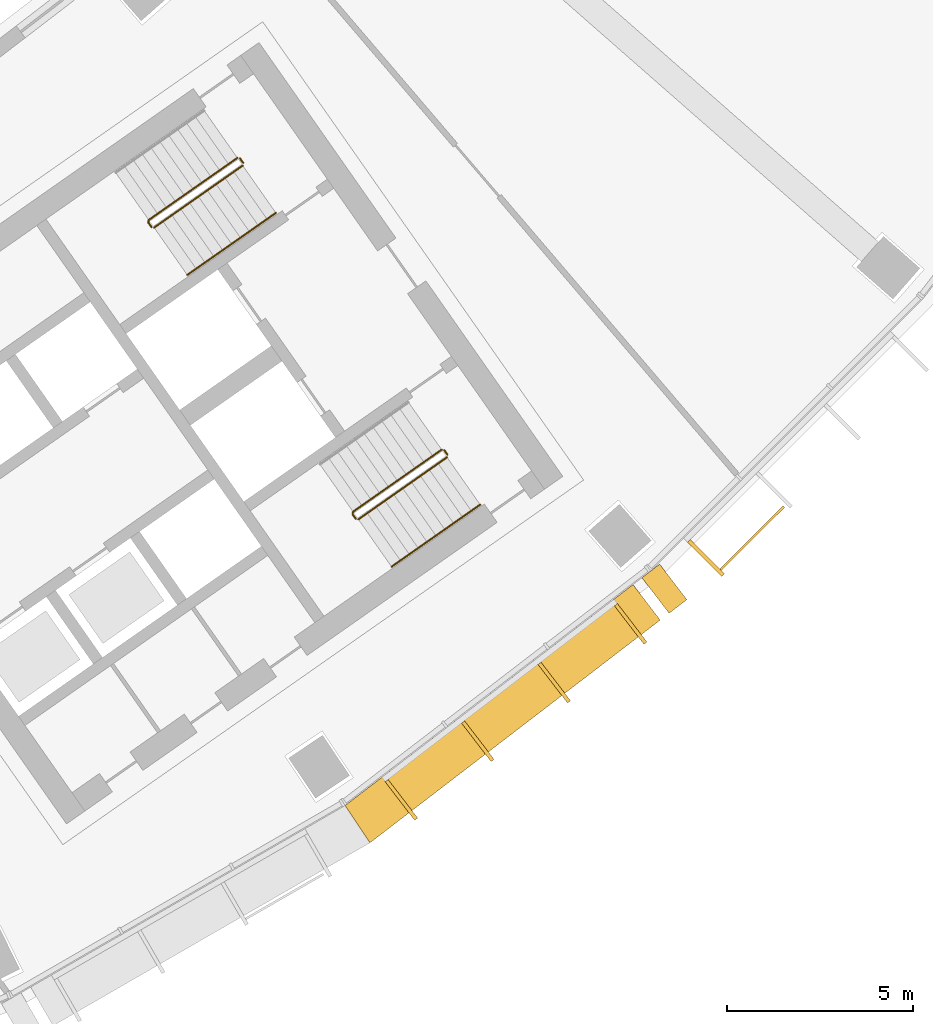
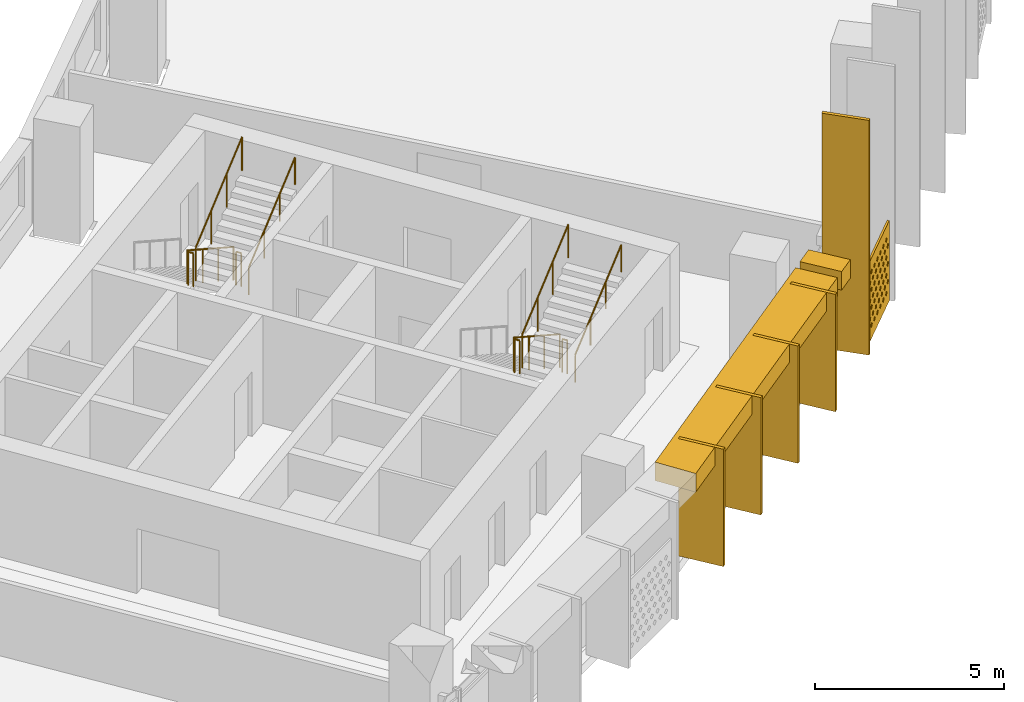
# One storey, part 28 of 31: 8 railings, 8 shading devices.
"""IFC4 building model written with IfcOpenShell, lengths in metres."""

from ifc_helpers import new_model, si_unit, direction, frame, origin, origin_2d, place, context, subcontext, project, spatial, polyline, rectangle, circle, outline, extrude, material, material_profile, profile_set, type_object, element, save


model = new_model("IFC4")

# Units and contexts
model_context = context("Model", 3, precision=1e-05, world=origin(), true_north=direction((0.0, 1.0)))
body_context = subcontext(model_context, "Body", "Model", "MODEL_VIEW")
ifc_project = project(units=[si_unit("LENGTHUNIT", "METRE"), si_unit("AREAUNIT", "SQUARE_METRE"), si_unit("VOLUMEUNIT", "CUBIC_METRE"), si_unit("PLANEANGLEUNIT", "RADIAN"), si_unit("MASSUNIT", "GRAM", prefix="KILO")], contexts=[model_context])

# Site, building, storey
site_placement = place(None, origin())
site = spatial("IfcSite", under=ifc_project, at=site_placement, CompositionType="ELEMENT")
building_placement = place(site_placement, origin())
building = spatial("IfcBuilding", under=site, at=building_placement, Name="Qamariyya Broadcast Tower", CompositionType="ELEMENT")
storey_placement = place(building_placement, frame((0.0, 0.0, 149.300048828125)))
storey = spatial("IfcBuildingStorey", under=building, at=storey_placement, Name="L34", CompositionType="ELEMENT", Elevation=149.300048828125)

# Shading devices
ifc_material_1 = material(Name="Steel S355 powder coated deep red", Category="steel")
shading_device_type_1 = type_object("IfcShadingDeviceType", Name="Deep red frame, powder coated steel box section", PredefinedType="USERDEFINED", material=ifc_material_1)
shading_device_1_placement = place(storey_placement, frame((0.0, 0.0, 3.199951171875)))
element("IfcShadingDevice", 1, at=shading_device_1_placement, inside=storey, type_object=shading_device_type_1, Name="e-frm-B3-F4-postb-L34", ObjectType="FRAME", PredefinedType="USERDEFINED", context=body_context, shape_type="SweptSolid", body=[
    extrude(outline(polyline([(51.850341796875, -59.577880859375), (52.580810546875, -60.530029296875), (53.056884765625, -60.164794921875), (52.326416015625, -59.212646484375), (51.850341796875, -59.577880859375)])), origin(), (0.0, 0.0, 1.0), 0.60009765625),
])
shading_device_2_placement = place(storey_placement, frame((0.0, 0.0, 3.199951171875)))
element("IfcShadingDevice", 2, at=shading_device_2_placement, inside=storey, type_object=shading_device_type_1, Name="e-frm-B3-F4-bot1", ObjectType="FRAME", PredefinedType="USERDEFINED", context=body_context, shape_type="SweptSolid", body=[
    extrude(outline(polyline([(43.89013671875, -65.68603515625), (44.55810546875, -66.68603515625), (52.3427734375, -60.712646484375), (51.6123046875, -59.760498046875), (43.89013671875, -65.68603515625)])), origin(), (0.0, 0.0, 1.0), 0.60009765625),
])
ifc_material_2 = material(Name="Perforated glazed terracotta", Category="masonry")
ifc_material_profile_1 = material_profile(ifc_material_2, outline(polyline([(-1.199951171875, -1.300048828125), (1.199951171875, -1.300048828125), (1.199951171875, 1.300048828125), (-1.199951171875, 1.300048828125), (-1.199951171875, -1.300048828125)]), holes=[polyline([(-0.81494140625, -0.86669921875), (-0.89990234375, -0.78173828125), (-0.985107421875, -0.86669921875), (-0.89990234375, -0.95166015625), (-0.81494140625, -0.86669921875)]), polyline([(-0.514892578125, -0.86669921875), (-0.60009765625, -0.78173828125), (-0.68505859375, -0.86669921875), (-0.60009765625, -0.95166015625), (-0.514892578125, -0.86669921875)]), polyline([(-0.215087890625, -0.86669921875), (-0.300048828125, -0.78173828125), (-0.385009765625, -0.86669921875), (-0.300048828125, -0.95166015625), (-0.215087890625, -0.86669921875)]), polyline([(0.0849609375, -0.86669921875), (0.0, -0.78173828125), (-0.0849609375, -0.86669921875), (0.0, -0.95166015625), (0.0849609375, -0.86669921875)]), polyline([(0.385009765625, -0.86669921875), (0.300048828125, -0.78173828125), (0.215087890625, -0.86669921875), (0.300048828125, -0.95166015625), (0.385009765625, -0.86669921875)]), polyline([(0.68505859375, -0.86669921875), (0.60009765625, -0.78173828125), (0.514892578125, -0.86669921875), (0.60009765625, -0.95166015625), (0.68505859375, -0.86669921875)]), polyline([(0.985107421875, -0.86669921875), (0.89990234375, -0.78173828125), (0.81494140625, -0.86669921875), (0.89990234375, -0.95166015625), (0.985107421875, -0.86669921875)]), polyline([(-0.965087890625, -0.577880859375), (-1.050048828125, -0.49267578125), (-1.135009765625, -0.577880859375), (-1.050048828125, -0.662841796875), (-0.965087890625, -0.577880859375)]), polyline([(-0.6650390625, -0.577880859375), (-0.75, -0.49267578125), (-0.8349609375, -0.577880859375), (-0.75, -0.662841796875), (-0.6650390625, -0.577880859375)]), polyline([(-0.364990234375, -0.577880859375), (-0.449951171875, -0.49267578125), (-0.534912109375, -0.577880859375), (-0.449951171875, -0.662841796875), (-0.364990234375, -0.577880859375)]), polyline([(-0.06494140625, -0.577880859375), (-0.14990234375, -0.49267578125), (-0.235107421875, -0.577880859375), (-0.14990234375, -0.662841796875), (-0.06494140625, -0.577880859375)]), polyline([(0.235107421875, -0.577880859375), (0.14990234375, -0.49267578125), (0.06494140625, -0.577880859375), (0.14990234375, -0.662841796875), (0.235107421875, -0.577880859375)]), polyline([(0.534912109375, -0.577880859375), (0.449951171875, -0.49267578125), (0.364990234375, -0.577880859375), (0.449951171875, -0.662841796875), (0.534912109375, -0.577880859375)]), polyline([(0.8349609375, -0.577880859375), (0.75, -0.49267578125), (0.6650390625, -0.577880859375), (0.75, -0.662841796875), (0.8349609375, -0.577880859375)]), polyline([(1.135009765625, -0.577880859375), (1.050048828125, -0.49267578125), (0.965087890625, -0.577880859375), (1.050048828125, -0.662841796875), (1.135009765625, -0.577880859375)]), polyline([(-0.81494140625, -0.288818359375), (-0.89990234375, -0.203857421875), (-0.985107421875, -0.288818359375), (-0.89990234375, -0.373779296875), (-0.81494140625, -0.288818359375)]), polyline([(-0.514892578125, -0.288818359375), (-0.60009765625, -0.203857421875), (-0.68505859375, -0.288818359375), (-0.60009765625, -0.373779296875), (-0.514892578125, -0.288818359375)]), polyline([(-0.215087890625, -0.288818359375), (-0.300048828125, -0.203857421875), (-0.385009765625, -0.288818359375), (-0.300048828125, -0.373779296875), (-0.215087890625, -0.288818359375)]), polyline([(0.0849609375, -0.288818359375), (0.0, -0.203857421875), (-0.0849609375, -0.288818359375), (0.0, -0.373779296875), (0.0849609375, -0.288818359375)]), polyline([(0.385009765625, -0.288818359375), (0.300048828125, -0.203857421875), (0.215087890625, -0.288818359375), (0.300048828125, -0.373779296875), (0.385009765625, -0.288818359375)]), polyline([(0.68505859375, -0.288818359375), (0.60009765625, -0.203857421875), (0.514892578125, -0.288818359375), (0.60009765625, -0.373779296875), (0.68505859375, -0.288818359375)]), polyline([(0.985107421875, -0.288818359375), (0.89990234375, -0.203857421875), (0.81494140625, -0.288818359375), (0.89990234375, -0.373779296875), (0.985107421875, -0.288818359375)]), polyline([(-0.965087890625, 0.0), (-1.050048828125, 0.0849609375), (-1.135009765625, 0.0), (-1.050048828125, -0.0849609375), (-0.965087890625, 0.0)]), polyline([(-0.6650390625, 0.0), (-0.75, 0.0849609375), (-0.8349609375, 0.0), (-0.75, -0.0849609375), (-0.6650390625, 0.0)]), polyline([(-0.364990234375, 0.0), (-0.449951171875, 0.0849609375), (-0.534912109375, 0.0), (-0.449951171875, -0.0849609375), (-0.364990234375, 0.0)]), polyline([(-0.06494140625, 0.0), (-0.14990234375, 0.0849609375), (-0.235107421875, 0.0), (-0.14990234375, -0.0849609375), (-0.06494140625, 0.0)]), polyline([(0.235107421875, 0.0), (0.14990234375, 0.0849609375), (0.06494140625, 0.0), (0.14990234375, -0.0849609375), (0.235107421875, 0.0)]), polyline([(0.534912109375, 0.0), (0.449951171875, 0.0849609375), (0.364990234375, 0.0), (0.449951171875, -0.0849609375), (0.534912109375, 0.0)]), polyline([(0.8349609375, 0.0), (0.75, 0.0849609375), (0.6650390625, 0.0), (0.75, -0.0849609375), (0.8349609375, 0.0)]), polyline([(1.135009765625, 0.0), (1.050048828125, 0.0849609375), (0.965087890625, 0.0), (1.050048828125, -0.0849609375), (1.135009765625, 0.0)]), polyline([(-0.81494140625, 0.288818359375), (-0.89990234375, 0.373779296875), (-0.985107421875, 0.288818359375), (-0.89990234375, 0.203857421875), (-0.81494140625, 0.288818359375)]), polyline([(-0.514892578125, 0.288818359375), (-0.60009765625, 0.373779296875), (-0.68505859375, 0.288818359375), (-0.60009765625, 0.203857421875), (-0.514892578125, 0.288818359375)]), polyline([(-0.215087890625, 0.288818359375), (-0.300048828125, 0.373779296875), (-0.385009765625, 0.288818359375), (-0.300048828125, 0.203857421875), (-0.215087890625, 0.288818359375)]), polyline([(0.0849609375, 0.288818359375), (0.0, 0.373779296875), (-0.0849609375, 0.288818359375), (0.0, 0.203857421875), (0.0849609375, 0.288818359375)]), polyline([(0.385009765625, 0.288818359375), (0.300048828125, 0.373779296875), (0.215087890625, 0.288818359375), (0.300048828125, 0.203857421875), (0.385009765625, 0.288818359375)]), polyline([(0.68505859375, 0.288818359375), (0.60009765625, 0.373779296875), (0.514892578125, 0.288818359375), (0.60009765625, 0.203857421875), (0.68505859375, 0.288818359375)]), polyline([(0.985107421875, 0.288818359375), (0.89990234375, 0.373779296875), (0.81494140625, 0.288818359375), (0.89990234375, 0.203857421875), (0.985107421875, 0.288818359375)]), polyline([(-0.965087890625, 0.577880859375), (-1.050048828125, 0.662841796875), (-1.135009765625, 0.577880859375), (-1.050048828125, 0.49267578125), (-0.965087890625, 0.577880859375)]), polyline([(-0.6650390625, 0.577880859375), (-0.75, 0.662841796875), (-0.8349609375, 0.577880859375), (-0.75, 0.49267578125), (-0.6650390625, 0.577880859375)]), polyline([(-0.364990234375, 0.577880859375), (-0.449951171875, 0.662841796875), (-0.534912109375, 0.577880859375), (-0.449951171875, 0.49267578125), (-0.364990234375, 0.577880859375)]), polyline([(-0.06494140625, 0.577880859375), (-0.14990234375, 0.662841796875), (-0.235107421875, 0.577880859375), (-0.14990234375, 0.49267578125), (-0.06494140625, 0.577880859375)]), polyline([(0.235107421875, 0.577880859375), (0.14990234375, 0.662841796875), (0.06494140625, 0.577880859375), (0.14990234375, 0.49267578125), (0.235107421875, 0.577880859375)]), polyline([(0.534912109375, 0.577880859375), (0.449951171875, 0.662841796875), (0.364990234375, 0.577880859375), (0.449951171875, 0.49267578125), (0.534912109375, 0.577880859375)]), polyline([(0.8349609375, 0.577880859375), (0.75, 0.662841796875), (0.6650390625, 0.577880859375), (0.75, 0.49267578125), (0.8349609375, 0.577880859375)]), polyline([(1.135009765625, 0.577880859375), (1.050048828125, 0.662841796875), (0.965087890625, 0.577880859375), (1.050048828125, 0.49267578125), (1.135009765625, 0.577880859375)]), polyline([(-0.81494140625, 0.86669921875), (-0.89990234375, 0.95166015625), (-0.985107421875, 0.86669921875), (-0.89990234375, 0.78173828125), (-0.81494140625, 0.86669921875)]), polyline([(-0.514892578125, 0.86669921875), (-0.60009765625, 0.95166015625), (-0.68505859375, 0.86669921875), (-0.60009765625, 0.78173828125), (-0.514892578125, 0.86669921875)]), polyline([(-0.215087890625, 0.86669921875), (-0.300048828125, 0.95166015625), (-0.385009765625, 0.86669921875), (-0.300048828125, 0.78173828125), (-0.215087890625, 0.86669921875)]), polyline([(0.0849609375, 0.86669921875), (0.0, 0.95166015625), (-0.0849609375, 0.86669921875), (0.0, 0.78173828125), (0.0849609375, 0.86669921875)]), polyline([(0.385009765625, 0.86669921875), (0.300048828125, 0.95166015625), (0.215087890625, 0.86669921875), (0.300048828125, 0.78173828125), (0.385009765625, 0.86669921875)]), polyline([(0.68505859375, 0.86669921875), (0.60009765625, 0.95166015625), (0.514892578125, 0.86669921875), (0.60009765625, 0.78173828125), (0.68505859375, 0.86669921875)]), polyline([(0.985107421875, 0.86669921875), (0.89990234375, 0.95166015625), (0.81494140625, 0.86669921875), (0.89990234375, 0.78173828125), (0.985107421875, 0.86669921875)])]))
ifc_profile_set_1 = profile_set([ifc_material_profile_1], Name="Perforated glazed terracotta")
shading_device_type_2 = type_object("IfcShadingDeviceType", Name="Perforated terracotta screen 2400 x 2600", PredefinedType="USERDEFINED", material=ifc_profile_set_1)
shading_device_3_placement = place(storey_placement, frame((54.78369140625, -58.49609375, 1.349853515625), z_axis=(0.705066081692, -0.709141608176, 0.0), x_axis=(0.709141608176, 0.705066081692, 0.0)))
element("IfcShadingDevice", 3, at=shading_device_3_placement, inside=storey, type_object=shading_device_type_2, Name="e-scr-L34-13-0", ObjectType="SCREEN", PredefinedType="USERDEFINED", context=body_context, shape_type="SweptSolid", body=[
    extrude(outline(polyline([(-1.199951171875, -1.300048828125), (1.199951171875, -1.300048828125), (1.199951171875, 1.300048828125), (-1.199951171875, 1.300048828125), (-1.199951171875, -1.300048828125)]), holes=[polyline([(-0.81494140625, -0.86669921875), (-0.89990234375, -0.78173828125), (-0.985107421875, -0.86669921875), (-0.89990234375, -0.95166015625), (-0.81494140625, -0.86669921875)]), polyline([(-0.514892578125, -0.86669921875), (-0.60009765625, -0.78173828125), (-0.68505859375, -0.86669921875), (-0.60009765625, -0.95166015625), (-0.514892578125, -0.86669921875)]), polyline([(-0.215087890625, -0.86669921875), (-0.300048828125, -0.78173828125), (-0.385009765625, -0.86669921875), (-0.300048828125, -0.95166015625), (-0.215087890625, -0.86669921875)]), polyline([(0.0849609375, -0.86669921875), (0.0, -0.78173828125), (-0.0849609375, -0.86669921875), (0.0, -0.95166015625), (0.0849609375, -0.86669921875)]), polyline([(0.385009765625, -0.86669921875), (0.300048828125, -0.78173828125), (0.215087890625, -0.86669921875), (0.300048828125, -0.95166015625), (0.385009765625, -0.86669921875)]), polyline([(0.68505859375, -0.86669921875), (0.60009765625, -0.78173828125), (0.514892578125, -0.86669921875), (0.60009765625, -0.95166015625), (0.68505859375, -0.86669921875)]), polyline([(0.985107421875, -0.86669921875), (0.89990234375, -0.78173828125), (0.81494140625, -0.86669921875), (0.89990234375, -0.95166015625), (0.985107421875, -0.86669921875)]), polyline([(-0.965087890625, -0.577880859375), (-1.050048828125, -0.49267578125), (-1.135009765625, -0.577880859375), (-1.050048828125, -0.662841796875), (-0.965087890625, -0.577880859375)]), polyline([(-0.6650390625, -0.577880859375), (-0.75, -0.49267578125), (-0.8349609375, -0.577880859375), (-0.75, -0.662841796875), (-0.6650390625, -0.577880859375)]), polyline([(-0.364990234375, -0.577880859375), (-0.449951171875, -0.49267578125), (-0.534912109375, -0.577880859375), (-0.449951171875, -0.662841796875), (-0.364990234375, -0.577880859375)]), polyline([(-0.06494140625, -0.577880859375), (-0.14990234375, -0.49267578125), (-0.235107421875, -0.577880859375), (-0.14990234375, -0.662841796875), (-0.06494140625, -0.577880859375)]), polyline([(0.235107421875, -0.577880859375), (0.14990234375, -0.49267578125), (0.06494140625, -0.577880859375), (0.14990234375, -0.662841796875), (0.235107421875, -0.577880859375)]), polyline([(0.534912109375, -0.577880859375), (0.449951171875, -0.49267578125), (0.364990234375, -0.577880859375), (0.449951171875, -0.662841796875), (0.534912109375, -0.577880859375)]), polyline([(0.8349609375, -0.577880859375), (0.75, -0.49267578125), (0.6650390625, -0.577880859375), (0.75, -0.662841796875), (0.8349609375, -0.577880859375)]), polyline([(1.135009765625, -0.577880859375), (1.050048828125, -0.49267578125), (0.965087890625, -0.577880859375), (1.050048828125, -0.662841796875), (1.135009765625, -0.577880859375)]), polyline([(-0.81494140625, -0.288818359375), (-0.89990234375, -0.203857421875), (-0.985107421875, -0.288818359375), (-0.89990234375, -0.373779296875), (-0.81494140625, -0.288818359375)]), polyline([(-0.514892578125, -0.288818359375), (-0.60009765625, -0.203857421875), (-0.68505859375, -0.288818359375), (-0.60009765625, -0.373779296875), (-0.514892578125, -0.288818359375)]), polyline([(-0.215087890625, -0.288818359375), (-0.300048828125, -0.203857421875), (-0.385009765625, -0.288818359375), (-0.300048828125, -0.373779296875), (-0.215087890625, -0.288818359375)]), polyline([(0.0849609375, -0.288818359375), (0.0, -0.203857421875), (-0.0849609375, -0.288818359375), (0.0, -0.373779296875), (0.0849609375, -0.288818359375)]), polyline([(0.385009765625, -0.288818359375), (0.300048828125, -0.203857421875), (0.215087890625, -0.288818359375), (0.300048828125, -0.373779296875), (0.385009765625, -0.288818359375)]), polyline([(0.68505859375, -0.288818359375), (0.60009765625, -0.203857421875), (0.514892578125, -0.288818359375), (0.60009765625, -0.373779296875), (0.68505859375, -0.288818359375)]), polyline([(0.985107421875, -0.288818359375), (0.89990234375, -0.203857421875), (0.81494140625, -0.288818359375), (0.89990234375, -0.373779296875), (0.985107421875, -0.288818359375)]), polyline([(-0.965087890625, 0.0), (-1.050048828125, 0.0849609375), (-1.135009765625, 0.0), (-1.050048828125, -0.0849609375), (-0.965087890625, 0.0)]), polyline([(-0.6650390625, 0.0), (-0.75, 0.0849609375), (-0.8349609375, 0.0), (-0.75, -0.0849609375), (-0.6650390625, 0.0)]), polyline([(-0.364990234375, 0.0), (-0.449951171875, 0.0849609375), (-0.534912109375, 0.0), (-0.449951171875, -0.0849609375), (-0.364990234375, 0.0)]), polyline([(-0.06494140625, 0.0), (-0.14990234375, 0.0849609375), (-0.235107421875, 0.0), (-0.14990234375, -0.0849609375), (-0.06494140625, 0.0)]), polyline([(0.235107421875, 0.0), (0.14990234375, 0.0849609375), (0.06494140625, 0.0), (0.14990234375, -0.0849609375), (0.235107421875, 0.0)]), polyline([(0.534912109375, 0.0), (0.449951171875, 0.0849609375), (0.364990234375, 0.0), (0.449951171875, -0.0849609375), (0.534912109375, 0.0)]), polyline([(0.8349609375, 0.0), (0.75, 0.0849609375), (0.6650390625, 0.0), (0.75, -0.0849609375), (0.8349609375, 0.0)]), polyline([(1.135009765625, 0.0), (1.050048828125, 0.0849609375), (0.965087890625, 0.0), (1.050048828125, -0.0849609375), (1.135009765625, 0.0)]), polyline([(-0.81494140625, 0.288818359375), (-0.89990234375, 0.373779296875), (-0.985107421875, 0.288818359375), (-0.89990234375, 0.203857421875), (-0.81494140625, 0.288818359375)]), polyline([(-0.514892578125, 0.288818359375), (-0.60009765625, 0.373779296875), (-0.68505859375, 0.288818359375), (-0.60009765625, 0.203857421875), (-0.514892578125, 0.288818359375)]), polyline([(-0.215087890625, 0.288818359375), (-0.300048828125, 0.373779296875), (-0.385009765625, 0.288818359375), (-0.300048828125, 0.203857421875), (-0.215087890625, 0.288818359375)]), polyline([(0.0849609375, 0.288818359375), (0.0, 0.373779296875), (-0.0849609375, 0.288818359375), (0.0, 0.203857421875), (0.0849609375, 0.288818359375)]), polyline([(0.385009765625, 0.288818359375), (0.300048828125, 0.373779296875), (0.215087890625, 0.288818359375), (0.300048828125, 0.203857421875), (0.385009765625, 0.288818359375)]), polyline([(0.68505859375, 0.288818359375), (0.60009765625, 0.373779296875), (0.514892578125, 0.288818359375), (0.60009765625, 0.203857421875), (0.68505859375, 0.288818359375)]), polyline([(0.985107421875, 0.288818359375), (0.89990234375, 0.373779296875), (0.81494140625, 0.288818359375), (0.89990234375, 0.203857421875), (0.985107421875, 0.288818359375)]), polyline([(-0.965087890625, 0.577880859375), (-1.050048828125, 0.662841796875), (-1.135009765625, 0.577880859375), (-1.050048828125, 0.49267578125), (-0.965087890625, 0.577880859375)]), polyline([(-0.6650390625, 0.577880859375), (-0.75, 0.662841796875), (-0.8349609375, 0.577880859375), (-0.75, 0.49267578125), (-0.6650390625, 0.577880859375)]), polyline([(-0.364990234375, 0.577880859375), (-0.449951171875, 0.662841796875), (-0.534912109375, 0.577880859375), (-0.449951171875, 0.49267578125), (-0.364990234375, 0.577880859375)]), polyline([(-0.06494140625, 0.577880859375), (-0.14990234375, 0.662841796875), (-0.235107421875, 0.577880859375), (-0.14990234375, 0.49267578125), (-0.06494140625, 0.577880859375)]), polyline([(0.235107421875, 0.577880859375), (0.14990234375, 0.662841796875), (0.06494140625, 0.577880859375), (0.14990234375, 0.49267578125), (0.235107421875, 0.577880859375)]), polyline([(0.534912109375, 0.577880859375), (0.449951171875, 0.662841796875), (0.364990234375, 0.577880859375), (0.449951171875, 0.49267578125), (0.534912109375, 0.577880859375)]), polyline([(0.8349609375, 0.577880859375), (0.75, 0.662841796875), (0.6650390625, 0.577880859375), (0.75, 0.49267578125), (0.8349609375, 0.577880859375)]), polyline([(1.135009765625, 0.577880859375), (1.050048828125, 0.662841796875), (0.965087890625, 0.577880859375), (1.050048828125, 0.49267578125), (1.135009765625, 0.577880859375)]), polyline([(-0.81494140625, 0.86669921875), (-0.89990234375, 0.95166015625), (-0.985107421875, 0.86669921875), (-0.89990234375, 0.78173828125), (-0.81494140625, 0.86669921875)]), polyline([(-0.514892578125, 0.86669921875), (-0.60009765625, 0.95166015625), (-0.68505859375, 0.86669921875), (-0.60009765625, 0.78173828125), (-0.514892578125, 0.86669921875)]), polyline([(-0.215087890625, 0.86669921875), (-0.300048828125, 0.95166015625), (-0.385009765625, 0.86669921875), (-0.300048828125, 0.78173828125), (-0.215087890625, 0.86669921875)]), polyline([(0.0849609375, 0.86669921875), (0.0, 0.95166015625), (-0.0849609375, 0.86669921875), (0.0, 0.78173828125), (0.0849609375, 0.86669921875)]), polyline([(0.385009765625, 0.86669921875), (0.300048828125, 0.95166015625), (0.215087890625, 0.86669921875), (0.300048828125, 0.78173828125), (0.385009765625, 0.86669921875)]), polyline([(0.68505859375, 0.86669921875), (0.60009765625, 0.95166015625), (0.514892578125, 0.86669921875), (0.60009765625, 0.78173828125), (0.68505859375, 0.86669921875)]), polyline([(0.985107421875, 0.86669921875), (0.89990234375, 0.95166015625), (0.81494140625, 0.86669921875), (0.89990234375, 0.78173828125), (0.985107421875, 0.86669921875)])]), origin(), (0.0, 0.0, 1.0), 0.059814453125),
])

# Railings
ifc_material_3 = material(Name="Painted steel", Category="steel")
railing_type_1 = type_object("IfcRailingType", Name="Stair guard", PredefinedType="GUARDRAIL", material=ifc_material_3)
railing_1_placement = place(storey_placement, frame((41.003173828125, -48.320068359375, 0.172607421875)))
element("IfcRailing", 4, at=railing_1_placement, inside=storey, type_object=railing_type_1, Name="L34 ST-E2 stair guard 1", PredefinedType="GUARDRAIL", context=body_context, shape_type="SweptSolid", body=[
    extrude(circle(Radius=0.02392578125, at=origin_2d()), frame((0.0, 0.0, 1.076171875), z_axis=(-0.703770094002, -0.492783725636, 0.511734163933), x_axis=(0.573575343427, -0.819152809562, 0.0)), (0.0, 0.0, 1.0), 3.37548828125),
    extrude(circle(Radius=0.02392578125, at=origin_2d()), frame((-2.37548828125, -1.663330078125, 2.80322265625), z_axis=(-0.172799478008, -0.984957024646, 0.0), x_axis=(0.984957024646, -0.172799478008, 0.0)), (0.0, 0.0, 1.0), 0.070556640625),
    extrude(circle(Radius=0.02392578125, at=origin_2d()), frame((-2.3876953125, -1.73291015625, 2.80322265625), z_axis=(0.572588637393, -0.819842821722, 0.0), x_axis=(0.819842821722, 0.572588637393, 0.0)), (0.0, 0.0, 1.0), 0.150146484375),
    extrude(circle(Radius=0.02099609375, at=origin_2d()), origin(), (0.0, 0.0, 1.0), 1.052001953125),
    extrude(circle(Radius=0.02099609375, at=origin_2d()), frame((-0.791748046875, -0.554443359375, 0.57568359375)), (0.0, 0.0, 1.0), 1.052001953125),
    extrude(circle(Radius=0.02099609375, at=origin_2d()), frame((-1.583740234375, -1.10888671875, 1.151611328125)), (0.0, 0.0, 1.0), 1.052001953125),
    extrude(circle(Radius=0.02099609375, at=origin_2d()), frame((-2.37548828125, -1.663330078125, 1.727294921875)), (0.0, 0.0, 1.0), 1.052001953125),
    extrude(circle(Radius=0.02099609375, at=origin_2d()), frame((-2.3876953125, -1.73291015625, 1.727294921875)), (0.0, 0.0, 1.0), 1.052001953125),
    extrude(circle(Radius=0.02099609375, at=origin_2d()), frame((-2.3017578125, -1.85595703125, 1.727294921875)), (0.0, 0.0, 1.0), 1.052001953125),
])
railing_2_placement = place(storey_placement, frame((38.771240234375, -50.188232421875, 2.07275390625)))
element("IfcRailing", 5, at=railing_2_placement, inside=storey, type_object=railing_type_1, Name="L34 ST-E2 stair guard 2", PredefinedType="GUARDRAIL", context=body_context, shape_type="SweptSolid", body=[
    extrude(circle(Radius=0.02392578125, at=origin_2d()), frame((0.0, 0.0, 1.076171875), z_axis=(0.703770094002, 0.492783725636, 0.511734163933), x_axis=(-0.573575343427, 0.819152809562, 0.0)), (0.0, 0.0, 1.0), 3.37548828125),
    extrude(circle(Radius=0.02099609375, at=origin_2d()), origin(), (0.0, 0.0, 1.0), 1.052001953125),
    extrude(circle(Radius=0.02099609375, at=origin_2d()), frame((0.791748046875, 0.554443359375, 0.57568359375)), (0.0, 0.0, 1.0), 1.052001953125),
    extrude(circle(Radius=0.02099609375, at=origin_2d()), frame((1.583740234375, 1.10888671875, 1.151611328125)), (0.0, 0.0, 1.0), 1.052001953125),
    extrude(circle(Radius=0.02099609375, at=origin_2d()), frame((2.37548828125, 1.663330078125, 1.727294921875)), (0.0, 0.0, 1.0), 1.052001953125),
])
railing_3_placement = place(storey_placement, frame((41.072998046875, -48.332275390625, 0.0)))
element("IfcRailing", 6, at=railing_3_placement, inside=storey, type_object=railing_type_1, Name="L34 ST-E2 stair guard 3", PredefinedType="GUARDRAIL", context=body_context, shape_type="SweptSolid", body=[
    extrude(circle(Radius=0.02392578125, at=origin_2d()), frame((0.0, 0.0, 1.076171875), z_axis=(0.572588637393, -0.819842821722, 0.0), x_axis=(0.819842821722, 0.572588637393, 0.0)), (0.0, 0.0, 1.0), 0.150146484375),
    extrude(circle(Radius=0.02099609375, at=origin_2d()), origin(), (0.0, 0.0, 1.0), 1.052001953125),
    extrude(circle(Radius=0.02099609375, at=origin_2d()), frame((0.0859375, -0.123046875, 0.0)), (0.0, 0.0, 1.0), 1.052001953125),
])
railing_4_placement = place(storey_placement, frame((46.48095703125, -56.14306640625, 0.172607421875)))
element("IfcRailing", 7, at=railing_4_placement, inside=storey, type_object=railing_type_1, Name="L34 ST-E1 stair guard 1", PredefinedType="GUARDRAIL", context=body_context, shape_type="SweptSolid", body=[
    extrude(circle(Radius=0.02392578125, at=origin_2d()), frame((0.0, 0.0, 1.076171875), z_axis=(-0.703770094002, -0.492783725636, 0.511734163933), x_axis=(0.573575343427, -0.819152809562, 0.0)), (0.0, 0.0, 1.0), 3.37548828125),
    extrude(circle(Radius=0.02392578125, at=origin_2d()), frame((-2.37548828125, -1.663330078125, 2.80322265625), z_axis=(-0.176149252506, -0.984363469884, 0.0), x_axis=(0.984363469884, -0.176149252506, 0.0)), (0.0, 0.0, 1.0), 0.07080078125),
    extrude(circle(Radius=0.02392578125, at=origin_2d()), frame((-2.387939453125, -1.73291015625, 2.80322265625), z_axis=(0.574444878118, -0.818543268254, 0.0), x_axis=(0.818543268254, 0.574444878118, 0.0)), (0.0, 0.0, 1.0), 0.150146484375),
    extrude(circle(Radius=0.02099609375, at=origin_2d()), origin(), (0.0, 0.0, 1.0), 1.052001953125),
    extrude(circle(Radius=0.02099609375, at=origin_2d()), frame((-0.791748046875, -0.554443359375, 0.57568359375)), (0.0, 0.0, 1.0), 1.052001953125),
    extrude(circle(Radius=0.02099609375, at=origin_2d()), frame((-1.583740234375, -1.10888671875, 1.151611328125)), (0.0, 0.0, 1.0), 1.052001953125),
    extrude(circle(Radius=0.02099609375, at=origin_2d()), frame((-2.37548828125, -1.663330078125, 1.727294921875)), (0.0, 0.0, 1.0), 1.052001953125),
    extrude(circle(Radius=0.02099609375, at=origin_2d()), frame((-2.387939453125, -1.73291015625, 1.727294921875)), (0.0, 0.0, 1.0), 1.052001953125),
    extrude(circle(Radius=0.02099609375, at=origin_2d()), frame((-2.3017578125, -1.855712890625, 1.727294921875)), (0.0, 0.0, 1.0), 1.052001953125),
])
railing_5_placement = place(storey_placement, frame((44.248779296875, -58.01123046875, 2.07275390625)))
element("IfcRailing", 8, at=railing_5_placement, inside=storey, type_object=railing_type_1, Name="L34 ST-E1 stair guard 2", PredefinedType="GUARDRAIL", context=body_context, shape_type="SweptSolid", body=[
    extrude(circle(Radius=0.02392578125, at=origin_2d()), frame((0.0, 0.0, 1.076171875), z_axis=(0.703745009021, 0.492838488332, 0.511715923826), x_axis=(-0.573631830683, 0.819113253969, 0.0)), (0.0, 0.0, 1.0), 3.37548828125),
    extrude(circle(Radius=0.02099609375, at=origin_2d()), origin(), (0.0, 0.0, 1.0), 1.052001953125),
    extrude(circle(Radius=0.02099609375, at=origin_2d()), frame((0.791748046875, 0.554443359375, 0.57568359375)), (0.0, 0.0, 1.0), 1.052001953125),
    extrude(circle(Radius=0.02099609375, at=origin_2d()), frame((1.583740234375, 1.109130859375, 1.151611328125)), (0.0, 0.0, 1.0), 1.052001953125),
    extrude(circle(Radius=0.02099609375, at=origin_2d()), frame((2.37548828125, 1.66357421875, 1.727294921875)), (0.0, 0.0, 1.0), 1.052001953125),
])
railing_6_placement = place(storey_placement, frame((46.550537109375, -56.1552734375, 0.0)))
element("IfcRailing", 9, at=railing_6_placement, inside=storey, type_object=railing_type_1, Name="L34 ST-E1 stair guard 3", PredefinedType="GUARDRAIL", context=body_context, shape_type="SweptSolid", body=[
    extrude(circle(Radius=0.02392578125, at=origin_2d()), frame((0.0, 0.0, 1.076171875), z_axis=(0.574444878118, -0.818543268254, 0.0), x_axis=(0.818543268254, 0.574444878118, 0.0)), (0.0, 0.0, 1.0), 0.150146484375),
    extrude(circle(Radius=0.02099609375, at=origin_2d()), origin(), (0.0, 0.0, 1.0), 1.052001953125),
    extrude(circle(Radius=0.02099609375, at=origin_2d()), frame((0.086181640625, -0.122802734375, 0.0)), (0.0, 0.0, 1.0), 1.052001953125),
])
ifc_material_4 = material(Name="Stainless steel", Category="steel")
railing_type_2 = type_object("IfcRailingType", Name="Stair handrail", PredefinedType="HANDRAIL", material=ifc_material_4)
railing_7_placement = place(storey_placement, frame((39.66015625, -51.4580078125, 2.07275390625)))
element("IfcRailing", 10, at=railing_7_placement, inside=storey, type_object=railing_type_2, Name="L34 ST-E2 stair handrail 2", PredefinedType="HANDRAIL", context=body_context, shape_type="SweptSolid", body=[
    extrude(circle(Radius=0.02392578125, at=origin_2d()), frame((0.0, 0.0, 0.8759765625), z_axis=(0.703745009021, 0.492838488332, 0.511715923826), x_axis=(-0.573631830683, 0.819113253969, 0.0)), (0.0, 0.0, 1.0), 3.37548828125),
    extrude(circle(Radius=0.02099609375, at=origin_2d()), origin(), (0.0, 0.0, 1.0), 0.851806640625),
    extrude(circle(Radius=0.02099609375, at=origin_2d()), frame((0.791748046875, 0.554443359375, 0.57568359375)), (0.0, 0.0, 1.0), 0.851806640625),
    extrude(circle(Radius=0.02099609375, at=origin_2d()), frame((1.583740234375, 1.109130859375, 1.151611328125)), (0.0, 0.0, 1.0), 0.851806640625),
    extrude(circle(Radius=0.02099609375, at=origin_2d()), frame((2.37548828125, 1.66357421875, 1.727294921875)), (0.0, 0.0, 1.0), 0.851806640625),
])
railing_8_placement = place(storey_placement, frame((45.137939453125, -59.28076171875, 2.07275390625)))
element("IfcRailing", 11, at=railing_8_placement, inside=storey, type_object=railing_type_2, Name="L34 ST-E1 stair handrail 2", PredefinedType="HANDRAIL", context=body_context, shape_type="SweptSolid", body=[
    extrude(circle(Radius=0.02392578125, at=origin_2d()), frame((0.0, 0.0, 0.8759765625), z_axis=(0.703770094002, 0.492783725636, 0.511734163933), x_axis=(-0.573575343427, 0.819152809562, 0.0)), (0.0, 0.0, 1.0), 3.37548828125),
    extrude(circle(Radius=0.02099609375, at=origin_2d()), origin(), (0.0, 0.0, 1.0), 0.851806640625),
    extrude(circle(Radius=0.02099609375, at=origin_2d()), frame((0.791748046875, 0.554443359375, 0.57568359375)), (0.0, 0.0, 1.0), 0.851806640625),
    extrude(circle(Radius=0.02099609375, at=origin_2d()), frame((1.583740234375, 1.10888671875, 1.151611328125)), (0.0, 0.0, 1.0), 0.851806640625),
    extrude(circle(Radius=0.02099609375, at=origin_2d()), frame((2.37548828125, 1.663330078125, 1.727294921875)), (0.0, 0.0, 1.0), 0.851806640625),
])

# Shading devices
ifc_material_5 = material(Name="Glazed terracotta", Category="masonry")
ifc_material_profile_2 = material_profile(ifc_material_5, rectangle(XDim=1.300048828125, YDim=0.10009765625, at=origin_2d()))
ifc_profile_set_2 = profile_set([ifc_material_profile_2], Name="Glazed terracotta")
shading_device_type_3 = type_object("IfcShadingDeviceType", Name="Terracotta fin 100 x 1300", PredefinedType="USERDEFINED", material=ifc_profile_set_2)
for number, where, z_axis, x_axis, name in (
    (12, (45.40185546875, -65.534423828125, 0.0), (0.0, 0.0, 1.0), (0.608761429009, -0.793353340291, 0.0), "e-fin-L34-12-0"),
    (13, (47.451416015625, -63.961669921875, 0.0), (0.0, 0.0, 1.0), (0.608761429009, -0.793353340291, 0.0), "e-fin-L34-12-1"),
    (14, (49.5009765625, -62.38916015625, 0.0), (0.0, 0.0, 1.0), (0.608761429009, -0.793353340291, 0.0), "e-fin-L34-12-2"),
    (15, (51.550537109375, -60.81640625, 0.0), (0.0, 0.0, 1.0), (0.608761429009, -0.793353340291, 0.0), "e-fin-L34-12-3"),
):
    element("IfcShadingDevice", number, at=place(storey_placement, frame(where, z_axis=z_axis, x_axis=x_axis)), inside=storey, type_object=shading_device_type_3, Name=name, ObjectType="FIN", PredefinedType="USERDEFINED", context=body_context, shape_type="SweptSolid", body=[
        extrude(rectangle(XDim=1.300048828125, YDim=0.10009765625, at=origin_2d()), origin(), (0.0, 0.0, 1.0), 3.800048828125),
    ])
shading_device_4_placement = place(storey_placement, frame((53.5673828125, -59.047607421875, 0.0), z_axis=(0.0, 0.0, 1.0), x_axis=(0.707106781187, -0.707106781187, 0.0)))
element("IfcShadingDevice", 16, at=shading_device_4_placement, inside=storey, type_object=shading_device_type_3, Name="e-fin-L34-13-0", ObjectType="FIN", PredefinedType="USERDEFINED", context=body_context, shape_type="SweptSolid", body=[
    extrude(rectangle(XDim=1.300048828125, YDim=0.10009765625, at=origin_2d()), origin(), (0.0, 0.0, 1.0), 7.599853515625),
])

save(model, "model.ifc")
